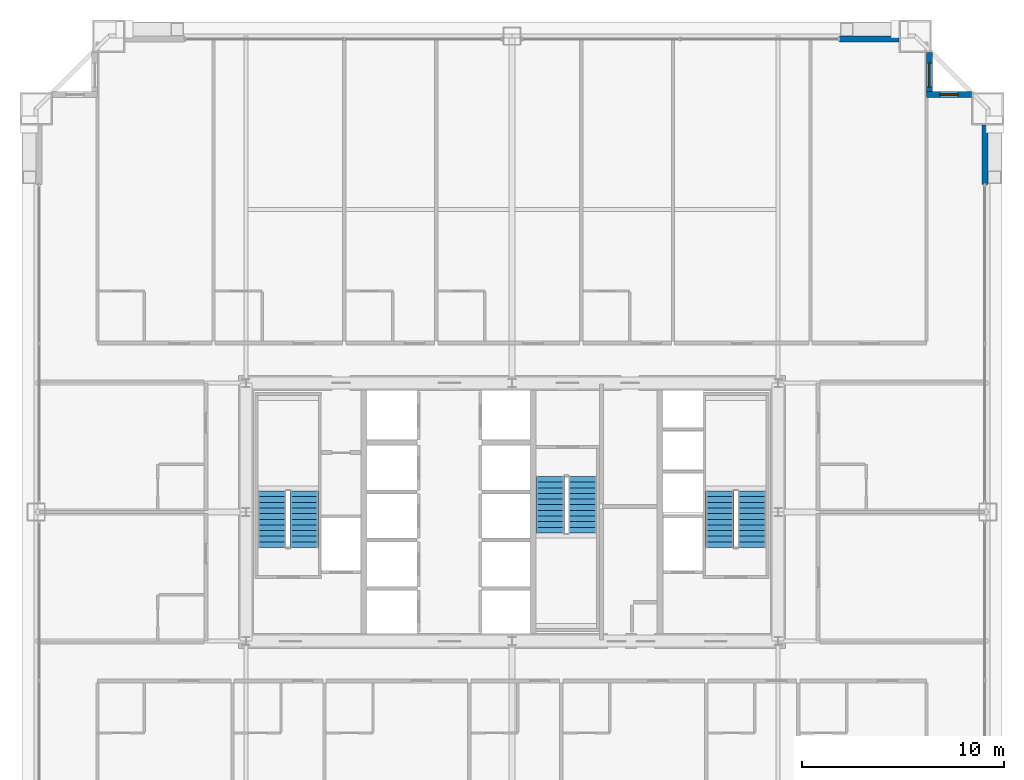
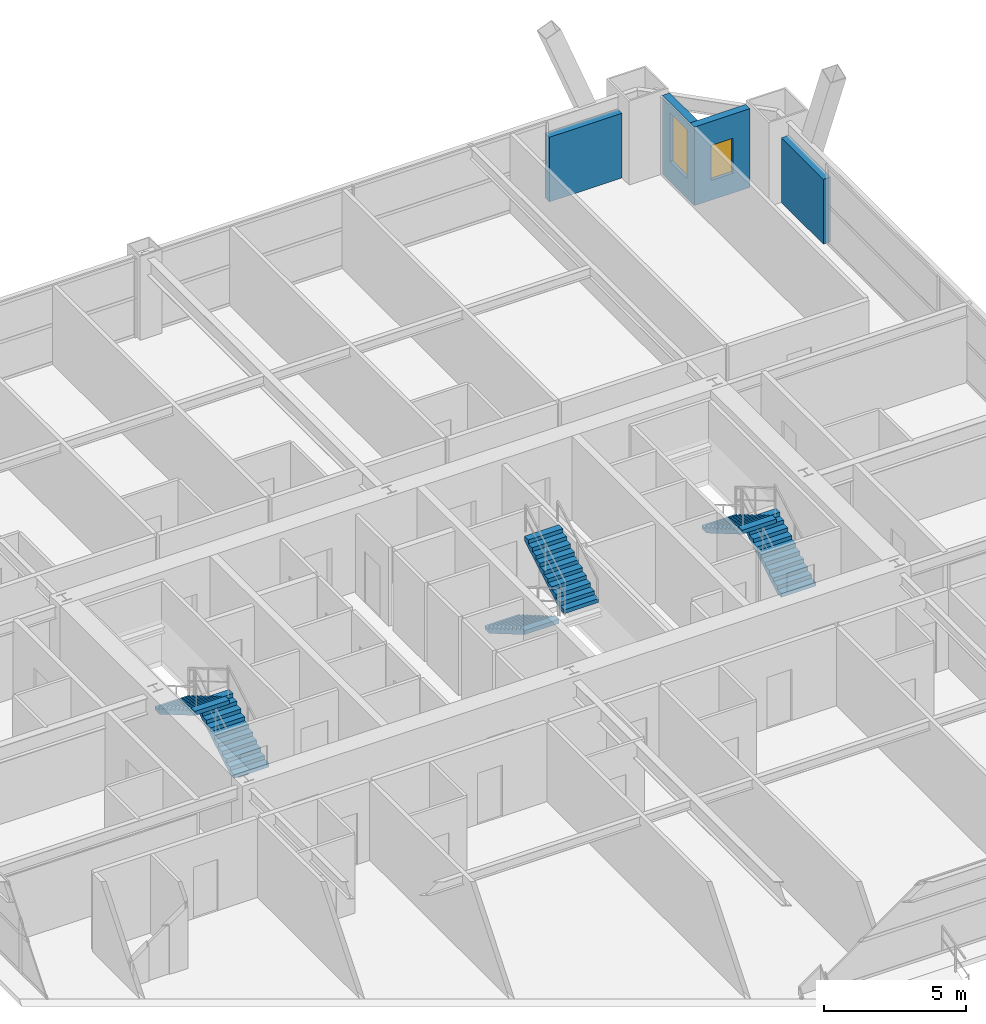
# One storey, part 42 of 43: 6 stair flights, 4 walls, 2 windows, 2 openings, 3 elements without a shape of their own.
"""IFC4 building model written with IfcOpenShell, lengths in metres."""

from ifc_helpers import new_model, si_unit, direction, frame, frame_2d, origin, place, context, subcontext, project, spatial, polyline, rectangle, outline, extrude, source, transform, mapped, material, layer, layer_set, type_object, element, fill, aggregate, save


model = new_model("IFC4")

# Units and contexts
model_context = context("Model", 3, precision=1e-05, world=origin(), true_north=direction((0.0, 1.0)))
body_context = subcontext(model_context, "Body", "Model", "MODEL_VIEW")
ifc_project = project(units=[si_unit("LENGTHUNIT", "METRE"), si_unit("AREAUNIT", "SQUARE_METRE"), si_unit("VOLUMEUNIT", "CUBIC_METRE"), si_unit("PLANEANGLEUNIT", "RADIAN"), si_unit("MASSUNIT", "GRAM", prefix="KILO"), si_unit("THERMODYNAMICTEMPERATUREUNIT", "KELVIN"), si_unit("POWERUNIT", "WATT")], contexts=[model_context])

# Site, building, storey
site_placement = place(None, origin())
site = spatial("IfcSite", under=ifc_project, at=site_placement, CompositionType="ELEMENT")
building_placement = place(site_placement, origin())
building = spatial("IfcBuilding", under=site, at=building_placement, Name="Yuzanri Waterfront Tower", CompositionType="ELEMENT")
storey_placement = place(building_placement, frame((0.0, 0.0, 93.800048828125)))
storey = spatial("IfcBuildingStorey", under=building, at=storey_placement, Name="L24", CompositionType="ELEMENT", Elevation=93.800048828125)

# Wall, opening, window
ifc_material_1 = material(Name="Honed Chongqing Dark Basalt Stone", Category="masonry")
ifc_layer = layer(ifc_material_1, 0.300048828125)
ifc_layer_set = layer_set([ifc_layer], Name="Honed Chongqing Dark Basalt Stone")
wall_type = type_object("IfcWallType", Name="Bronze Rainscreen Insulated Spandrel Portal Wall 300", PredefinedType="SOLIDWALL", material=ifc_layer_set)
wall_1_placement = place(storey_placement, frame((59.800048828125, 46.5, 0.0), z_axis=(0.0, 0.0, 1.0), x_axis=(-1.0, 0.0, 0.0)))
wall_1 = element("IfcWall", 1, at=wall_1_placement, inside=storey, type_object=wall_type, Name="L24 Notched Corner Masonry Wall NE-X", PredefinedType="SOLIDWALL", context=body_context, shape_type="SweptSolid", body=[
    extrude(rectangle(XDim=2.25, YDim=0.300048828125, at=frame_2d((1.125, 0.0))), origin(), (0.0, 0.0, 1.0), 3.3798828125),
])
opening_1_placement = place(wall_1_placement, frame((0.675048828125, 0.0, 0.85009765625)))
opening_1 = element("IfcOpeningElement", 2, at=opening_1_placement, cuts=wall_1, Name="Opening WN-05", PredefinedType="OPENING", context=body_context, shape_type="SweptSolid", body=[
    extrude(rectangle(XDim=0.89990234375, YDim=1.5, at=frame_2d((0.449951171875, 0.75))), frame((0.0, 0.1650390625, 0.0), z_axis=(0.0, -1.0, 0.0), x_axis=(1.0, 0.0, 0.0)), (0.0, 0.0, 1.0), 0.329833984375),
])
ifc_material_2 = material(Name="Double-Silver Low-E Insulated Glass", Category="glass")
window_type_1 = type_object("IfcWindowType", Name="Anodized Bronze Service and Stairwell Smoke-Vent Window 900x1500", PartitioningType="SINGLE_PANEL", PredefinedType="WINDOW", material=ifc_material_2)
shared_shape_1 = source(origin(), body_context, "Body", "SweptSolid", [
    extrude(rectangle(XDim=0.89990234375, YDim=1.5, at=frame_2d((0.449951171875, 0.75))), frame((0.0, 0.030029296875, 0.0), z_axis=(0.0, -1.0, 0.0), x_axis=(1.0, 0.0, 0.0)), (0.0, 0.0, 1.0), 0.06005859375),
])
window_1_placement = place(opening_1_placement, origin())
window_1 = element("IfcWindow", 3, at=window_1_placement, inside=storey, type_object=window_type_1, Name="L24 Notched Corner Window NE-X", OverallHeight=1.5, OverallWidth=0.89990234375, PartitioningType="SINGLE_PANEL", PredefinedType="WINDOW", context=body_context, shape_type="MappedRepresentation", body=[
    mapped(shared_shape_1, transform((0.0, 0.0, 0.0), scale=1.0)),
])
fill(opening_1, window_1)

wall_2_placement = place(storey_placement, frame((57.699951171875, 46.35009765625, 0.0), z_axis=(0.0, 0.0, 1.0), x_axis=(0.0, 1.0, 0.0)))
wall_2 = element("IfcWall", 4, at=wall_2_placement, inside=storey, type_object=wall_type, Name="L24 Notched Corner Masonry Wall NE-Y", PredefinedType="SOLIDWALL", context=body_context, shape_type="SweptSolid", body=[
    extrude(rectangle(XDim=2.25, YDim=0.300048828125, at=frame_2d((1.125, 0.0))), origin(), (0.0, 0.0, 1.0), 3.3798828125),
])
opening_2_placement = place(wall_2_placement, frame((0.52490234375, 0.0, 0.85009765625)))
opening_2 = element("IfcOpeningElement", 5, at=opening_2_placement, cuts=wall_2, Name="Opening WN-02", PredefinedType="OPENING", context=body_context, shape_type="SweptSolid", body=[
    extrude(rectangle(XDim=1.199951171875, YDim=2.10009765625, at=frame_2d((0.60009765625, 1.050048828125))), frame((0.0, 0.1650390625, 0.0), z_axis=(0.0, -1.0, 0.0), x_axis=(1.0, 0.0, 0.0)), (0.0, 0.0, 1.0), 0.329833984375),
])
ifc_material_3 = material(Name="Double-Silver Low-E Insulated Glass", Category="glass")
window_type_2 = type_object("IfcWindowType", Name="Anodized Bronze Notched Corner Deep-Set Slot Window 1200x2100", PartitioningType="SINGLE_PANEL", PredefinedType="WINDOW", material=ifc_material_3)
shared_shape_2 = source(origin(), body_context, "Body", "SweptSolid", [
    extrude(rectangle(XDim=1.199951171875, YDim=2.10009765625, at=frame_2d((0.60009765625, 1.050048828125))), frame((0.0, 0.030029296875, 0.0), z_axis=(0.0, -1.0, 0.0), x_axis=(1.0, 0.0, 0.0)), (0.0, 0.0, 1.0), 0.06005859375),
])
window_2_placement = place(opening_2_placement, origin())
window_2 = element("IfcWindow", 6, at=window_2_placement, inside=storey, type_object=window_type_2, Name="L24 Notched Corner Window NE-Y", OverallHeight=2.10009765625, OverallWidth=1.199951171875, PartitioningType="SINGLE_PANEL", PredefinedType="WINDOW", context=body_context, shape_type="MappedRepresentation", body=[
    mapped(shared_shape_2, transform((0.0, 0.0, 0.0), scale=1.0)),
])
fill(opening_2, window_2)

# Walls
shared_shape_3 = source(origin(), body_context, "Body", "SweptSolid", [
    extrude(rectangle(XDim=2.949951171875, YDim=0.300048828125, at=frame_2d((1.47509765625, 0.0))), origin(), (0.0, 0.0, 1.0), 2.77490234375),
])
for number, where, z_axis, x_axis, name in (
    (7, (53.25, 49.25, 0.0), (0.0, 0.0, 1.0), (1.0, 0.0, 0.0), "L24 N Right Braced Masonry Shoulder"),
    (8, (60.449951171875, 42.050048828125, 0.0), (0.0, 0.0, 1.0), (0.0, 1.0, 0.0), "L24 E Right Braced Masonry Shoulder"),
):
    element("IfcWall", number, at=place(storey_placement, frame(where, z_axis=z_axis, x_axis=x_axis)), inside=storey, type_object=wall_type, Name=name, PredefinedType="SOLIDWALL", context=body_context, shape_type="MappedRepresentation", body=[
        mapped(shared_shape_3, transform((0.0, 0.0, 0.0), scale=1.0)),
    ])

# Stair, stair flights
ifc_material_4 = material(Name="Concrete C40", Category="concrete")
stair_type = type_object("IfcStairType", Name="Concrete C40 Core Dogleg Exit Stair", PredefinedType="HALF_TURN_STAIR", material=ifc_material_4)
stair_1_placement = place(storey_placement, origin())
stair_1 = element("IfcStair", 9, at=stair_1_placement, inside=storey, type_object=stair_type, Name="L24 Smoke-Proof Core Stair ST-01", PredefinedType="HALF_TURN_STAIR")
ifc_material_5 = material(Name="Concrete C40", Category="concrete")
stair_flight_type = type_object("IfcStairFlightType", Name="Concrete C40 Precast Stair Flight 1380", PredefinedType="STRAIGHT", material=ifc_material_5)
shared_shape_4 = source(origin(), body_context, "Body", "SweptSolid", [
    extrude(outline(polyline([(0.0, 0.0), (0.0, 0.16357421875), (0.280029296875, 0.16357421875), (0.280029296875, 0.327392578125), (0.56005859375, 0.327392578125), (0.56005859375, 0.490966796875), (0.840087890625, 0.490966796875), (0.840087890625, 0.654541015625), (1.1201171875, 0.654541015625), (1.1201171875, 0.818115234375), (1.39990234375, 0.818115234375), (1.39990234375, 0.98193359375), (1.679931640625, 0.98193359375), (1.679931640625, 1.1455078125), (1.9599609375, 1.1455078125), (1.9599609375, 1.30908203125), (2.239990234375, 1.30908203125), (2.239990234375, 1.47265625), (2.52001953125, 1.47265625), (2.52001953125, 1.636474609375), (2.800048828125, 1.636474609375), (2.800048828125, 1.800048828125), (2.800048828125, 1.462646484375), (0.297119140625, 0.0), (0.0, 0.0)])), frame((0.0, 0.699951171875, 0.0), z_axis=(0.0, -1.0, 0.0), x_axis=(1.0, 0.0, 0.0)), (0.0, 0.0, 1.0), 1.39990234375),
])
stair_flight_1_placement = place(storey_placement, frame((26.699951171875, 24.0400390625, 0.0), z_axis=(0.0, 0.0, 1.0), x_axis=(0.0, 1.0, 0.0)))
stair_flight_1 = element("IfcStairFlight", 10, at=stair_flight_1_placement, type_object=stair_flight_type, Name="ST-01 flight 1", NumberOfRisers=11, NumberOfTreads=10, PredefinedType="STRAIGHT", RiserHeight=0.163636364, TreadLength=0.28, context=body_context, shape_type="MappedRepresentation", body=[
    mapped(shared_shape_4, transform((0.0, 0.0, 0.0), scale=1.0)),
])
stair_flight_2_placement = place(storey_placement, frame((25.10009765625, 26.840087890625, 1.800048828125), z_axis=(0.0, 0.0, 1.0), x_axis=(0.0, -1.0, 0.0)))
stair_flight_2 = element("IfcStairFlight", 11, at=stair_flight_2_placement, type_object=stair_flight_type, Name="ST-01 flight 2", NumberOfRisers=11, NumberOfTreads=10, PredefinedType="STRAIGHT", RiserHeight=0.163636364, TreadLength=0.28, context=body_context, shape_type="MappedRepresentation", body=[
    mapped(shared_shape_4, transform((0.0, 0.0, 0.0), scale=1.0)),
])
aggregate(stair_1, [stair_flight_1, stair_flight_2])

stair_2_placement = place(storey_placement, origin())
stair_2 = element("IfcStair", 12, at=stair_2_placement, inside=storey, type_object=stair_type, Name="L24 Smoke-Proof Core Stair ST-02", PredefinedType="HALF_TURN_STAIR")
stair_flight_3_placement = place(storey_placement, frame((48.89990234375, 24.0400390625, 0.0), z_axis=(0.0, 0.0, 1.0), x_axis=(0.0, 1.0, 0.0)))
stair_flight_3 = element("IfcStairFlight", 13, at=stair_flight_3_placement, type_object=stair_flight_type, Name="ST-02 flight 1", NumberOfRisers=11, NumberOfTreads=10, PredefinedType="STRAIGHT", RiserHeight=0.163636364, TreadLength=0.28, context=body_context, shape_type="MappedRepresentation", body=[
    mapped(shared_shape_4, transform((0.0, 0.0, 0.0), scale=1.0)),
])
stair_flight_4_placement = place(storey_placement, frame((47.300048828125, 26.840087890625, 1.800048828125), z_axis=(0.0, 0.0, 1.0), x_axis=(0.0, -1.0, 0.0)))
stair_flight_4 = element("IfcStairFlight", 14, at=stair_flight_4_placement, type_object=stair_flight_type, Name="ST-02 flight 2", NumberOfRisers=11, NumberOfTreads=10, PredefinedType="STRAIGHT", RiserHeight=0.163636364, TreadLength=0.28, context=body_context, shape_type="MappedRepresentation", body=[
    mapped(shared_shape_4, transform((0.0, 0.0, 0.0), scale=1.0)),
])
aggregate(stair_2, [stair_flight_3, stair_flight_4])

stair_3_placement = place(storey_placement, origin())
stair_3 = element("IfcStair", 15, at=stair_3_placement, inside=storey, type_object=stair_type, Name="L24 Smoke-Proof Core Stair ST-03", PredefinedType="HALF_TURN_STAIR")
stair_flight_5_placement = place(storey_placement, frame((38.89990234375, 27.56005859375, 0.0), z_axis=(0.0, 0.0, 1.0), x_axis=(0.0, -1.0, 0.0)))
stair_flight_5 = element("IfcStairFlight", 16, at=stair_flight_5_placement, type_object=stair_flight_type, Name="ST-03 flight 1", NumberOfRisers=11, NumberOfTreads=10, PredefinedType="STRAIGHT", RiserHeight=0.163636364, TreadLength=0.28, context=body_context, shape_type="MappedRepresentation", body=[
    mapped(shared_shape_4, transform((0.0, 0.0, 0.0), scale=1.0)),
])
stair_flight_6_placement = place(storey_placement, frame((40.5, 24.760009765625, 1.800048828125), z_axis=(0.0, 0.0, 1.0), x_axis=(0.0, 1.0, 0.0)))
stair_flight_6 = element("IfcStairFlight", 17, at=stair_flight_6_placement, type_object=stair_flight_type, Name="ST-03 flight 2", NumberOfRisers=11, NumberOfTreads=10, PredefinedType="STRAIGHT", RiserHeight=0.163636364, TreadLength=0.28, context=body_context, shape_type="MappedRepresentation", body=[
    mapped(shared_shape_4, transform((0.0, 0.0, 0.0), scale=1.0)),
])
aggregate(stair_3, [stair_flight_5, stair_flight_6])

save(model, "model.ifc")
